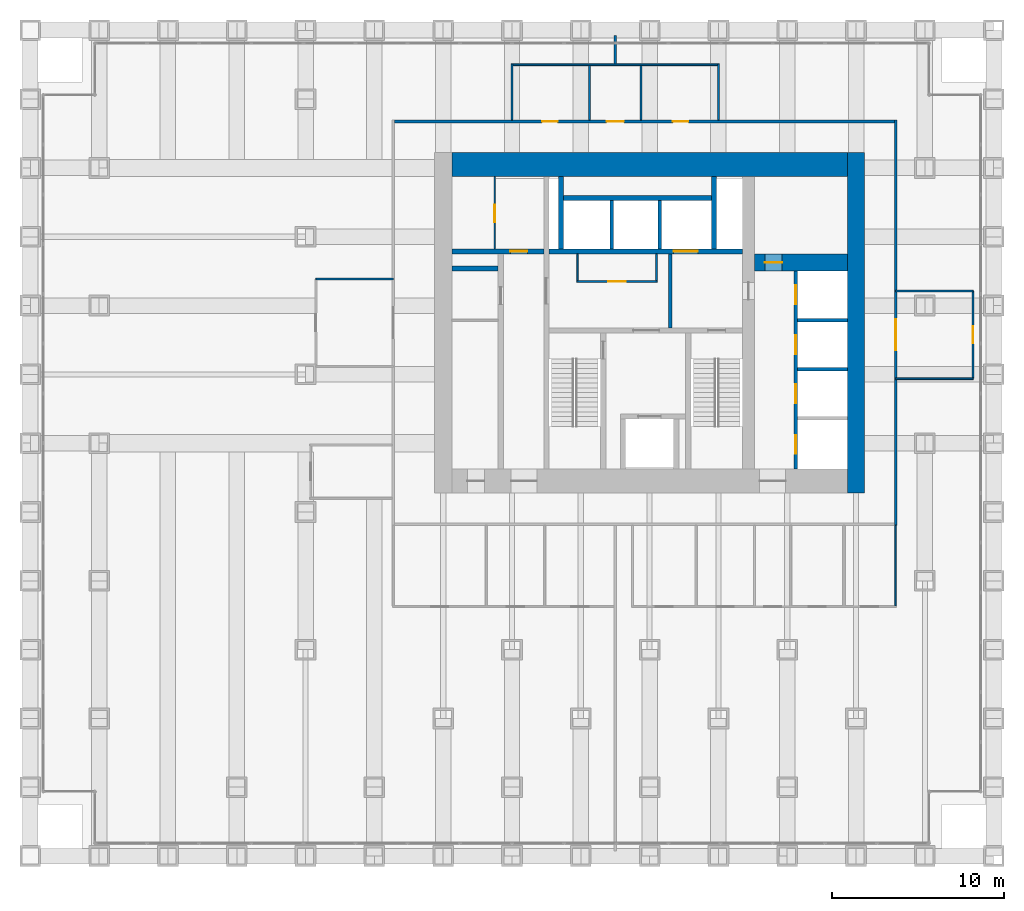
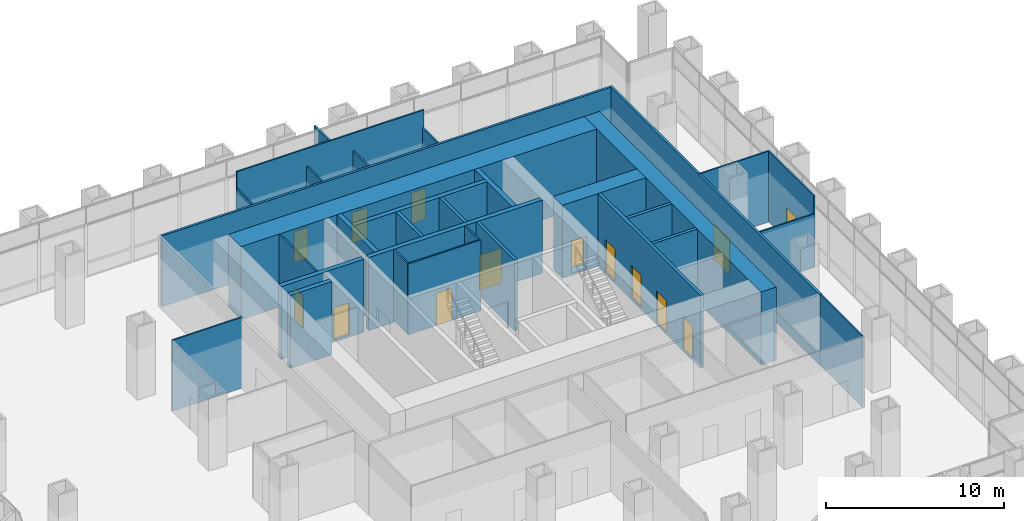
# One storey, part 16 of 18: 32 walls, 14 doors, 14 openings.
"""IFC4 building model written with IfcOpenShell, lengths in metres."""

from ifc_helpers import new_model, si_unit, direction, frame, frame_2d, origin, place, context, subcontext, project, spatial, rectangle, extrude, material, layer, layer_set, type_object, element, fill, save


model = new_model("IFC4")

# Units and contexts
model_context = context("Model", 3, precision=1e-05, world=origin(), true_north=direction((0.0, 1.0)))
body_context = subcontext(model_context, "Body", "Model", "MODEL_VIEW")
ifc_project = project(units=[si_unit("LENGTHUNIT", "METRE"), si_unit("AREAUNIT", "SQUARE_METRE"), si_unit("VOLUMEUNIT", "CUBIC_METRE"), si_unit("PLANEANGLEUNIT", "RADIAN"), si_unit("MASSUNIT", "GRAM", prefix="KILO")], contexts=[model_context])

# Site, building, storey
site_placement = place(None, origin())
site = spatial("IfcSite", under=ifc_project, at=site_placement, CompositionType="ELEMENT")
building_placement = place(site_placement, origin())
building = spatial("IfcBuilding", under=site, at=building_placement, Name="Rimbunsela Tower", CompositionType="ELEMENT")
storey_placement = place(building_placement, frame((0.0, 0.0, 6.0)))
storey = spatial("IfcBuildingStorey", under=building, at=storey_placement, Name="L01", CompositionType="ELEMENT", Elevation=6.0)

# Wall, opening, door
ifc_material_1 = material(Name="Concrete fc' 80 MPa", Category="concrete")
ifc_layer_1 = layer(ifc_material_1, 0.300048828125)
ifc_layer_set_1 = layer_set([ifc_layer_1], Name="Core internal wall 300")
wall_type_1 = type_object("IfcWallType", Name="Core internal wall 300", PredefinedType="SHEAR", material=ifc_layer_set_1)
wall_1_placement = place(storey_placement, frame((24.14990234375, 31.14990234375, -0.14990234375), z_axis=(0.0, 0.0, 1.0), x_axis=(1.0, 0.0, 0.0)))
wall_1 = element("IfcWall", 1, at=wall_1_placement, inside=storey, type_object=wall_type_1, Name="Lift shaft front north", PredefinedType="SHEAR", context=body_context, shape_type="SweptSolid", body=[
    extrude(rectangle(XDim=11.25, YDim=0.300048828125, at=frame_2d((5.625, 0.0))), origin(), (0.0, 0.0, 1.0), 5.0),
])
opening_1_placement = place(wall_1_placement, frame((7.25, 0.0, 0.14990234375)))
opening_1 = element("IfcOpeningElement", 2, at=opening_1_placement, cuts=wall_1, Name="Opening LD3", PredefinedType="OPENING", context=body_context, shape_type="SweptSolid", body=[
    extrude(rectangle(XDim=1.39990234375, YDim=2.39990234375, at=frame_2d((0.699951171875, 1.199951171875))), frame((0.0, 0.159912109375, 0.0), z_axis=(0.0, -1.0, 0.0), x_axis=(1.0, 0.0, 0.0)), (0.0, 0.0, 1.0), 0.320068359375),
])
ifc_material_2 = material(Name="Steel door, fire rated", Category="steel")
door_type_1 = type_object("IfcDoorType", Name="Lift landing door 1400", OperationType="DOUBLE_DOOR_SLIDING", PredefinedType="DOOR", material=ifc_material_2)
door_1_placement = place(opening_1_placement, origin())
door_1 = element("IfcDoor", 3, at=door_1_placement, inside=storey, type_object=door_type_1, Name="Lift landing door FL2", OperationType="DOUBLE_DOOR_SLIDING", OverallHeight=2.39990234375, OverallWidth=1.39990234375, PredefinedType="DOOR", context=body_context, shape_type="SweptSolid", body=[
    extrude(rectangle(XDim=1.39990234375, YDim=2.39990234375, at=frame_2d((0.699951171875, 1.199951171875))), frame((0.0, 0.02490234375, 0.0), z_axis=(0.0, -1.0, 0.0), x_axis=(1.0, 0.0, 0.0)), (0.0, 0.0, 1.0), 0.050048828125),
])
fill(opening_1, door_1)

wall_2_placement = place(storey_placement, frame((18.5, 31.14990234375, -0.14990234375), z_axis=(0.0, 0.0, 1.0), x_axis=(1.0, 0.0, 0.0)))
wall_2 = element("IfcWall", 4, at=wall_2_placement, inside=storey, type_object=wall_type_1, Name="Store wall", PredefinedType="SHEAR", context=body_context, shape_type="SweptSolid", body=[
    extrude(rectangle(XDim=5.35009765625, YDim=0.300048828125, at=frame_2d((2.675048828125, 0.0))), origin(), (0.0, 0.0, 1.0), 5.0),
])
opening_2_placement = place(wall_2_placement, frame((3.39990234375, 0.0, 0.14990234375)))
opening_2 = element("IfcOpeningElement", 5, at=opening_2_placement, cuts=wall_2, Name="Opening D19", PredefinedType="OPENING", context=body_context, shape_type="SweptSolid", body=[
    extrude(rectangle(XDim=1.0, YDim=2.199951171875, at=frame_2d((0.5, 1.10009765625))), frame((0.0, 0.159912109375, 0.0), z_axis=(0.0, -1.0, 0.0), x_axis=(1.0, 0.0, 0.0)), (0.0, 0.0, 1.0), 0.320068359375),
])
ifc_material_3 = material(Name="Steel door, fire rated", Category="steel")
door_type_2 = type_object("IfcDoorType", Name="Service door 1000 fire rated", OperationType="SINGLE_SWING_LEFT", PredefinedType="DOOR", material=ifc_material_3)
door_2_placement = place(opening_2_placement, origin())
door_2 = element("IfcDoor", 6, at=door_2_placement, inside=storey, type_object=door_type_2, Name="IT room door", OperationType="SINGLE_SWING_LEFT", OverallHeight=2.199951171875, OverallWidth=1.0, PredefinedType="DOOR", context=body_context, shape_type="SweptSolid", body=[
    extrude(rectangle(XDim=1.0, YDim=2.199951171875, at=frame_2d((0.5, 1.10009765625))), frame((0.0, 0.02490234375, 0.0), z_axis=(0.0, -1.0, 0.0), x_axis=(1.0, 0.0, 0.0)), (0.0, 0.0, 1.0), 0.050048828125),
])
fill(opening_2, door_2)

# Walls
wall_3_placement = place(storey_placement, frame((18.5, 30.14990234375, -0.14990234375), z_axis=(0.0, 0.0, 1.0), x_axis=(1.0, 0.0, 0.0)))
element("IfcWall", 7, at=wall_3_placement, inside=storey, type_object=wall_type_1, Name="Lift shaft rear west", PredefinedType="SHEAR", context=body_context, shape_type="SweptSolid", body=[
    extrude(rectangle(XDim=2.699951171875, YDim=0.300048828125, at=frame_2d((1.35009765625, 0.0))), origin(), (0.0, 0.0, 1.0), 5.0),
])
for number, where, z_axis, x_axis, name in (
    (8, (24.85009765625, 31.300048828125, -0.14990234375), (0.0, 0.0, 1.0), (0.0, 1.0, 0.0), "Riser wall"),
    (9, (33.75, 31.300048828125, -0.14990234375), (0.0, 0.0, 1.0), (0.0, 1.0, 0.0), "Riser wall"),
):
    element("IfcWall", number, at=place(storey_placement, frame(where, z_axis=z_axis, x_axis=x_axis)), inside=storey, type_object=wall_type_1, Name=name, PredefinedType="SHEAR", context=body_context, shape_type="SweptSolid", body=[
        extrude(rectangle(XDim=4.199951171875, YDim=0.300048828125, at=frame_2d((2.10009765625, 0.0))), origin(), (0.0, 0.0, 1.0), 5.0),
    ])
wall_4_placement = place(storey_placement, frame((25.0, 34.25, -0.14990234375), z_axis=(0.0, 0.0, 1.0), x_axis=(1.0, 0.0, 0.0)))
element("IfcWall", 10, at=wall_4_placement, inside=storey, type_object=wall_type_1, Name="Lift shaft rear north", PredefinedType="SHEAR", context=body_context, shape_type="SweptSolid", body=[
    extrude(rectangle(XDim=8.60009765625, YDim=0.300048828125, at=frame_2d((4.300048828125, 0.0))), origin(), (0.0, 0.0, 1.0), 5.0),
])

# Wall, opening, door
ifc_material_4 = material(Name="Concrete blockwork", Category="masonry")
ifc_layer_2 = layer(ifc_material_4, 0.10009765625)
ifc_layer_set_2 = layer_set([ifc_layer_2], Name="Core room partition 100")
wall_type_2 = type_object("IfcWallType", Name="Core room partition 100", PredefinedType="PARTITIONING", material=ifc_layer_set_2)
wall_5_placement = place(storey_placement, frame((21.0, 31.300048828125, 0.0), z_axis=(0.0, 0.0, 1.0), x_axis=(0.0, 1.0, 0.0)))
wall_5 = element("IfcWall", 11, at=wall_5_placement, inside=storey, type_object=wall_type_2, Name="Equipment store wall", PredefinedType="PARTITIONING", context=body_context, shape_type="SweptSolid", body=[
    extrude(rectangle(XDim=4.199951171875, YDim=0.10009765625, at=frame_2d((2.10009765625, 0.0))), origin(), (0.0, 0.0, 1.0), 4.85009765625),
])
opening_3_placement = place(wall_5_placement, frame((1.550048828125, 0.0, 0.0)))
opening_3 = element("IfcOpeningElement", 12, at=opening_3_placement, cuts=wall_5, Name="Opening D19", PredefinedType="OPENING", context=body_context, shape_type="SweptSolid", body=[
    extrude(rectangle(XDim=1.0, YDim=2.199951171875, at=frame_2d((0.5, 1.10009765625))), frame((0.0, 0.06005859375, 0.0), z_axis=(0.0, -1.0, 0.0), x_axis=(1.0, 0.0, 0.0)), (0.0, 0.0, 1.0), 0.1201171875),
])
door_3_placement = place(opening_3_placement, origin())
door_3 = element("IfcDoor", 13, at=door_3_placement, inside=storey, type_object=door_type_2, Name="Equipment store door", OperationType="SINGLE_SWING_LEFT", OverallHeight=2.199951171875, OverallWidth=1.0, PredefinedType="DOOR", context=body_context, shape_type="SweptSolid", body=[
    extrude(rectangle(XDim=1.0, YDim=2.199951171875, at=frame_2d((0.5, 1.10009765625))), frame((0.0, 0.02490234375, 0.0), z_axis=(0.0, -1.0, 0.0), x_axis=(1.0, 0.0, 0.0)), (0.0, 0.0, 1.0), 0.050048828125),
])
fill(opening_3, door_3)

wall_6_placement = place(storey_placement, frame((25.75, 29.39990234375, 0.0), z_axis=(0.0, 0.0, 1.0), x_axis=(1.0, 0.0, 0.0)))
wall_6 = element("IfcWall", 14, at=wall_6_placement, inside=storey, type_object=wall_type_2, Name="Lobby room wall", PredefinedType="PARTITIONING", context=body_context, shape_type="SweptSolid", body=[
    extrude(rectangle(XDim=4.699951171875, YDim=0.10009765625, at=frame_2d((2.35009765625, 0.0))), origin(), (0.0, 0.0, 1.0), 4.85009765625),
])
opening_4_placement = place(wall_6_placement, frame((1.85009765625, 0.0, 0.0)))
opening_4 = element("IfcOpeningElement", 15, at=opening_4_placement, cuts=wall_6, Name="Opening D19", PredefinedType="OPENING", context=body_context, shape_type="SweptSolid", body=[
    extrude(rectangle(XDim=1.0, YDim=2.199951171875, at=frame_2d((0.5, 1.10009765625))), frame((0.0, 0.06005859375, 0.0), z_axis=(0.0, -1.0, 0.0), x_axis=(1.0, 0.0, 0.0)), (0.0, 0.0, 1.0), 0.1201171875),
])
door_4_placement = place(opening_4_placement, origin())
door_4 = element("IfcDoor", 16, at=door_4_placement, inside=storey, type_object=door_type_2, Name="Staff pantry door", OperationType="SINGLE_SWING_LEFT", OverallHeight=2.199951171875, OverallWidth=1.0, PredefinedType="DOOR", context=body_context, shape_type="SweptSolid", body=[
    extrude(rectangle(XDim=1.0, YDim=2.199951171875, at=frame_2d((0.5, 1.10009765625))), frame((0.0, 0.02490234375, 0.0), z_axis=(0.0, -1.0, 0.0), x_axis=(1.0, 0.0, 0.0)), (0.0, 0.0, 1.0), 0.050048828125),
])
fill(opening_4, door_4)

# Walls
for number, where, z_axis, x_axis, name in (
    (17, (25.800048828125, 29.449951171875, 0.0), (0.0, 0.0, 1.0), (0.0, 1.0, 0.0), "Lobby room wall"),
    (18, (30.39990234375, 29.449951171875, 0.0), (0.0, 0.0, 1.0), (0.0, 1.0, 0.0), "Lobby room wall"),
):
    element("IfcWall", number, at=place(storey_placement, frame(where, z_axis=z_axis, x_axis=x_axis)), inside=storey, type_object=wall_type_2, Name=name, PredefinedType="PARTITIONING", context=body_context, shape_type="SweptSolid", body=[
        extrude(rectangle(XDim=1.550048828125, YDim=0.10009765625, at=frame_2d((0.77490234375, 0.0))), origin(), (0.0, 0.0, 1.0), 4.85009765625),
    ])
ifc_material_5 = material(Name="Concrete fc' 80 MPa", Category="concrete")
ifc_layer_3 = layer(ifc_material_5, 1.0)
ifc_layer_set_3 = layer_set([ifc_layer_3], Name="Core wall 1000")
wall_type_3 = type_object("IfcWallType", Name="Core wall 1000", PredefinedType="SHEAR", material=ifc_layer_set_3)
wall_7_placement = place(storey_placement, frame((42.0, 17.10009765625, -0.14990234375), z_axis=(0.0, 0.0, 1.0), x_axis=(0.0, 1.0, 0.0)))
element("IfcWall", 19, at=wall_7_placement, inside=storey, type_object=wall_type_3, Name="Core wall east", PredefinedType="SHEAR", context=body_context, shape_type="SweptSolid", body=[
    extrude(rectangle(XDim=19.7998046875, YDim=1.0, at=frame_2d((9.89990234375, 0.0))), origin(), (0.0, 0.0, 1.0), 5.0),
])

# Wall, opening, door
wall_8_placement = place(storey_placement, frame((36.10009765625, 30.5, -0.14990234375), z_axis=(0.0, 0.0, 1.0), x_axis=(1.0, 0.0, 0.0)))
wall_8 = element("IfcWall", 20, at=wall_8_placement, inside=storey, type_object=wall_type_3, Name="Lift shaft rear east", PredefinedType="SHEAR", context=body_context, shape_type="SweptSolid", body=[
    extrude(rectangle(XDim=5.39990234375, YDim=1.0, at=frame_2d((2.699951171875, 0.0))), origin(), (0.0, 0.0, 1.0), 5.0),
])
opening_5_placement = place(wall_8_placement, frame((0.60009765625, 0.0, 0.14990234375)))
opening_5 = element("IfcOpeningElement", 21, at=opening_5_placement, cuts=wall_8, Name="Opening D19", PredefinedType="OPENING", context=body_context, shape_type="SweptSolid", body=[
    extrude(rectangle(XDim=1.0, YDim=2.199951171875, at=frame_2d((0.5, 1.10009765625))), frame((0.0, 0.510009765625, 0.0), z_axis=(0.0, -1.0, 0.0), x_axis=(1.0, 0.0, 0.0)), (0.0, 0.0, 1.0), 1.02001953125),
])
door_5_placement = place(opening_5_placement, origin())
door_5 = element("IfcDoor", 22, at=door_5_placement, inside=storey, type_object=door_type_2, Name="Communications room door", OperationType="SINGLE_SWING_LEFT", OverallHeight=2.199951171875, OverallWidth=1.0, PredefinedType="DOOR", context=body_context, shape_type="SweptSolid", body=[
    extrude(rectangle(XDim=1.0, YDim=2.199951171875, at=frame_2d((0.5, 1.10009765625))), frame((0.0, 0.02490234375, 0.0), z_axis=(0.0, -1.0, 0.0), x_axis=(1.0, 0.0, 0.0)), (0.0, 0.0, 1.0), 0.050048828125),
])
fill(opening_5, door_5)

# Walls
ifc_material_6 = material(Name="Concrete fc' 80 MPa", Category="concrete")
ifc_layer_4 = layer(ifc_material_6, 1.39990234375)
ifc_layer_set_4 = layer_set([ifc_layer_4], Name="Core wall 1400")
wall_type_4 = type_object("IfcWallType", Name="Core wall 1400", PredefinedType="SHEAR", material=ifc_layer_set_4)
wall_9_placement = place(storey_placement, frame((18.5, 36.199951171875, -0.14990234375), z_axis=(0.0, 0.0, 1.0), x_axis=(1.0, 0.0, 0.0)))
element("IfcWall", 23, at=wall_9_placement, inside=storey, type_object=wall_type_4, Name="Core wall north", PredefinedType="SHEAR", context=body_context, shape_type="SweptSolid", body=[
    extrude(rectangle(XDim=23.0, YDim=1.39990234375, at=frame_2d((11.5, 0.0))), origin(), (0.0, 0.0, 1.0), 5.0),
])
ifc_material_7 = material(Name="Concrete blockwork", Category="masonry")
ifc_layer_5 = layer(ifc_material_7, 0.199951171875)
ifc_layer_set_5 = layer_set([ifc_layer_5], Name="Lift shaft wall 200")
wall_type_5 = type_object("IfcWallType", Name="Lift shaft wall 200", PredefinedType="SOLIDWALL", material=ifc_layer_set_5)
for number, where, z_axis, x_axis, name in (
    (24, (27.800048828125, 31.300048828125, -0.14990234375), (0.0, 0.0, 1.0), (0.0, 1.0, 0.0), "Lift shaft separation"),
    (25, (30.60009765625, 31.300048828125, -0.14990234375), (0.0, 0.0, 1.0), (0.0, 1.0, 0.0), "Lift shaft separation"),
):
    element("IfcWall", number, at=place(storey_placement, frame(where, z_axis=z_axis, x_axis=x_axis)), inside=storey, type_object=wall_type_5, Name=name, PredefinedType="SOLIDWALL", context=body_context, shape_type="SweptSolid", body=[
        extrude(rectangle(XDim=2.800048828125, YDim=0.199951171875, at=frame_2d((1.39990234375, 0.0))), origin(), (0.0, 0.0, 1.0), 5.0),
    ])

# Wall, openings, doors
wall_10_placement = place(storey_placement, frame((38.5, 18.5, -0.14990234375), z_axis=(0.0, 0.0, 1.0), x_axis=(0.0, 1.0, 0.0)))
wall_10 = element("IfcWall", 26, at=wall_10_placement, inside=storey, type_object=wall_type_5, Name="Lift shaft front east", PredefinedType="SOLIDWALL", context=body_context, shape_type="SweptSolid", body=[
    extrude(rectangle(XDim=11.5, YDim=0.199951171875, at=frame_2d((5.75, 0.0))), origin(), (0.0, 0.0, 1.0), 5.0),
])
opening_6_placement = place(wall_10_placement, frame((0.875, 0.0, 0.14990234375)))
opening_6 = element("IfcOpeningElement", 27, at=opening_6_placement, cuts=wall_10, Name="Opening LD1", PredefinedType="OPENING", context=body_context, shape_type="SweptSolid", body=[
    extrude(rectangle(XDim=1.10009765625, YDim=2.199951171875, at=frame_2d((0.550048828125, 1.10009765625))), frame((0.0, 0.10986328125, 0.0), z_axis=(0.0, -1.0, 0.0), x_axis=(1.0, 0.0, 0.0)), (0.0, 0.0, 1.0), 0.219970703125),
])
opening_7_placement = place(wall_10_placement, frame((3.824951171875, 0.0, 0.14990234375)))
opening_7 = element("IfcOpeningElement", 28, at=opening_7_placement, cuts=wall_10, Name="Opening LD1", PredefinedType="OPENING", context=body_context, shape_type="SweptSolid", body=[
    extrude(rectangle(XDim=1.10009765625, YDim=2.199951171875, at=frame_2d((0.550048828125, 1.10009765625))), frame((0.0, 0.10986328125, 0.0), z_axis=(0.0, -1.0, 0.0), x_axis=(1.0, 0.0, 0.0)), (0.0, 0.0, 1.0), 0.219970703125),
])
opening_8_placement = place(wall_10_placement, frame((6.675048828125, 0.0, 0.14990234375)))
opening_8 = element("IfcOpeningElement", 29, at=opening_8_placement, cuts=wall_10, Name="Opening LD1", PredefinedType="OPENING", context=body_context, shape_type="SweptSolid", body=[
    extrude(rectangle(XDim=1.10009765625, YDim=2.199951171875, at=frame_2d((0.550048828125, 1.10009765625))), frame((0.0, 0.10986328125, 0.0), z_axis=(0.0, -1.0, 0.0), x_axis=(1.0, 0.0, 0.0)), (0.0, 0.0, 1.0), 0.219970703125),
])
opening_9_placement = place(wall_10_placement, frame((9.574951171875, 0.0, 0.14990234375)))
opening_9 = element("IfcOpeningElement", 30, at=opening_9_placement, cuts=wall_10, Name="Opening LD1", PredefinedType="OPENING", context=body_context, shape_type="SweptSolid", body=[
    extrude(rectangle(XDim=1.10009765625, YDim=2.199951171875, at=frame_2d((0.550048828125, 1.10009765625))), frame((0.0, 0.10986328125, 0.0), z_axis=(0.0, -1.0, 0.0), x_axis=(1.0, 0.0, 0.0)), (0.0, 0.0, 1.0), 0.219970703125),
])
ifc_material_8 = material(Name="Steel door, fire rated", Category="steel")
door_type_3 = type_object("IfcDoorType", Name="Lift landing door 1100", OperationType="DOUBLE_DOOR_SLIDING", PredefinedType="DOOR", material=ifc_material_8)
door_6_placement = place(opening_6_placement, origin())
door_6 = element("IfcDoor", 31, at=door_6_placement, inside=storey, type_object=door_type_3, Name="Lift landing door LL1", OperationType="DOUBLE_DOOR_SLIDING", OverallHeight=2.199951171875, OverallWidth=1.10009765625, PredefinedType="DOOR", context=body_context, shape_type="SweptSolid", body=[
    extrude(rectangle(XDim=1.10009765625, YDim=2.199951171875, at=frame_2d((0.550048828125, 1.10009765625))), frame((0.0, 0.02490234375, 0.0), z_axis=(0.0, -1.0, 0.0), x_axis=(1.0, 0.0, 0.0)), (0.0, 0.0, 1.0), 0.050048828125),
])
fill(opening_6, door_6)
door_7_placement = place(opening_7_placement, origin())
door_7 = element("IfcDoor", 32, at=door_7_placement, inside=storey, type_object=door_type_3, Name="Lift landing door LL2", OperationType="DOUBLE_DOOR_SLIDING", OverallHeight=2.199951171875, OverallWidth=1.10009765625, PredefinedType="DOOR", context=body_context, shape_type="SweptSolid", body=[
    extrude(rectangle(XDim=1.10009765625, YDim=2.199951171875, at=frame_2d((0.550048828125, 1.10009765625))), frame((0.0, 0.02490234375, 0.0), z_axis=(0.0, -1.0, 0.0), x_axis=(1.0, 0.0, 0.0)), (0.0, 0.0, 1.0), 0.050048828125),
])
fill(opening_7, door_7)
door_8_placement = place(opening_8_placement, origin())
door_8 = element("IfcDoor", 33, at=door_8_placement, inside=storey, type_object=door_type_3, Name="Lift landing door LL3", OperationType="DOUBLE_DOOR_SLIDING", OverallHeight=2.199951171875, OverallWidth=1.10009765625, PredefinedType="DOOR", context=body_context, shape_type="SweptSolid", body=[
    extrude(rectangle(XDim=1.10009765625, YDim=2.199951171875, at=frame_2d((0.550048828125, 1.10009765625))), frame((0.0, 0.02490234375, 0.0), z_axis=(0.0, -1.0, 0.0), x_axis=(1.0, 0.0, 0.0)), (0.0, 0.0, 1.0), 0.050048828125),
])
fill(opening_8, door_8)
door_9_placement = place(opening_9_placement, origin())
door_9 = element("IfcDoor", 34, at=door_9_placement, inside=storey, type_object=door_type_3, Name="Lift landing door LL4", OperationType="DOUBLE_DOOR_SLIDING", OverallHeight=2.199951171875, OverallWidth=1.10009765625, PredefinedType="DOOR", context=body_context, shape_type="SweptSolid", body=[
    extrude(rectangle(XDim=1.10009765625, YDim=2.199951171875, at=frame_2d((0.550048828125, 1.10009765625))), frame((0.0, 0.02490234375, 0.0), z_axis=(0.0, -1.0, 0.0), x_axis=(1.0, 0.0, 0.0)), (0.0, 0.0, 1.0), 0.050048828125),
])
fill(opening_9, door_9)

# Walls
for number, where, z_axis, x_axis, name in (
    (35, (38.60009765625, 24.300048828125, -0.14990234375), (0.0, 0.0, 1.0), (1.0, 0.0, 0.0), "Lift shaft separation"),
    (36, (38.60009765625, 27.14990234375, -0.14990234375), (0.0, 0.0, 1.0), (1.0, 0.0, 0.0), "Lift shaft separation"),
):
    element("IfcWall", number, at=place(storey_placement, frame(where, z_axis=z_axis, x_axis=x_axis)), inside=storey, type_object=wall_type_5, Name=name, PredefinedType="SOLIDWALL", context=body_context, shape_type="SweptSolid", body=[
        extrude(rectangle(XDim=2.89990234375, YDim=0.199951171875, at=frame_2d((1.449951171875, 0.0))), origin(), (0.0, 0.0, 1.0), 5.0),
    ])
wall_11_placement = place(storey_placement, frame((31.199951171875, 26.699951171875, 0.0), z_axis=(0.0, 0.0, 1.0), x_axis=(0.0, 1.0, 0.0)))
element("IfcWall", 37, at=wall_11_placement, inside=storey, type_object=wall_type_5, Name="Firefighting lobby 2 wall", PredefinedType="SOLIDWALL", context=body_context, shape_type="SweptSolid", body=[
    extrude(rectangle(XDim=4.300048828125, YDim=0.199951171875, at=frame_2d((2.14990234375, 0.0))), origin(), (0.0, 0.0, 1.0), 4.85009765625),
])
ifc_material_9 = material(Name="Gypsum board on steel studs", Category="steel")
ifc_layer_6 = layer(ifc_material_9, 0.10009765625)
ifc_layer_set_6 = layer_set([ifc_layer_6], Name="Office partition 100")
wall_type_6 = type_object("IfcWallType", Name="Office partition 100", PredefinedType="PARTITIONING", material=ifc_layer_set_6)
wall_12_placement = place(storey_placement, frame((44.300048828125, 10.550048828125, 0.0), z_axis=(0.0, 0.0, 1.0), x_axis=(0.0, 1.0, 0.0)))
element("IfcWall", 38, at=wall_12_placement, inside=storey, type_object=wall_type_6, Name="Office partition", PredefinedType="PARTITIONING", context=body_context, shape_type="SweptSolid", body=[
    extrude(rectangle(XDim=4.675048828125, YDim=0.10009765625, at=frame_2d((2.33740234375, 0.0))), origin(), (0.0, 0.0, 1.0), 4.85009765625),
])
wall_13_placement = place(storey_placement, frame((15.10009765625, 29.550048828125, 0.0), z_axis=(0.0, 0.0, 1.0), x_axis=(-1.0, 0.0, 0.0)))
element("IfcWall", 39, at=wall_13_placement, inside=storey, type_object=wall_type_6, Name="Office partition", PredefinedType="PARTITIONING", context=body_context, shape_type="SweptSolid", body=[
    extrude(rectangle(XDim=4.5, YDim=0.10009765625, at=frame_2d((2.25, 0.0))), origin(), (0.0, 0.0, 1.0), 4.85009765625),
])
wall_14_placement = place(storey_placement, frame((44.300048828125, 23.75, 0.0), z_axis=(0.0, 0.0, 1.0), x_axis=(1.0, 0.0, 0.0)))
element("IfcWall", 40, at=wall_14_placement, inside=storey, type_object=wall_type_6, Name="Office partition", PredefinedType="PARTITIONING", context=body_context, shape_type="SweptSolid", body=[
    extrude(rectangle(XDim=4.5, YDim=0.10009765625, at=frame_2d((2.25, 0.0))), origin(), (0.0, 0.0, 1.0), 3.64990234375),
])

# Wall, opening, door
wall_15_placement = place(storey_placement, frame((48.800048828125, 23.75, 0.0), z_axis=(0.0, 0.0, 1.0), x_axis=(0.0, 1.0, 0.0)))
wall_15 = element("IfcWall", 41, at=wall_15_placement, inside=storey, type_object=wall_type_6, Name="Office partition", PredefinedType="PARTITIONING", context=body_context, shape_type="SweptSolid", body=[
    extrude(rectangle(XDim=5.10009765625, YDim=0.10009765625, at=frame_2d((2.550048828125, 0.0))), origin(), (0.0, 0.0, 1.0), 4.85009765625),
])
opening_10_placement = place(wall_15_placement, frame((2.050048828125, 0.0, 0.0)))
opening_10 = element("IfcOpeningElement", 42, at=opening_10_placement, cuts=wall_15, Name="Opening D17", PredefinedType="OPENING", context=body_context, shape_type="SweptSolid", body=[
    extrude(rectangle(XDim=1.0, YDim=2.199951171875, at=frame_2d((0.5, 1.10009765625))), frame((0.0, 0.06005859375, 0.0), z_axis=(0.0, -1.0, 0.0), x_axis=(1.0, 0.0, 0.0)), (0.0, 0.0, 1.0), 0.1201171875),
])
ifc_material_10 = material(Name="Glazed aluminium door", Category="aluminium")
door_type_4 = type_object("IfcDoorType", Name="Meeting room door 1000 glazed", OperationType="SINGLE_SWING_RIGHT", PredefinedType="DOOR", material=ifc_material_10)
door_10_placement = place(opening_10_placement, origin())
door_10 = element("IfcDoor", 43, at=door_10_placement, inside=storey, type_object=door_type_4, Name="Reception door", OperationType="SINGLE_SWING_RIGHT", OverallHeight=2.199951171875, OverallWidth=1.0, PredefinedType="DOOR", context=body_context, shape_type="SweptSolid", body=[
    extrude(rectangle(XDim=1.0, YDim=2.199951171875, at=frame_2d((0.5, 1.10009765625))), frame((0.0, 0.02490234375, 0.0), z_axis=(0.0, -1.0, 0.0), x_axis=(1.0, 0.0, 0.0)), (0.0, 0.0, 1.0), 0.050048828125),
])
fill(opening_10, door_10)

# Wall
wall_16_placement = place(storey_placement, frame((48.800048828125, 28.85009765625, 0.0), z_axis=(0.0, 0.0, 1.0), x_axis=(-1.0, 0.0, 0.0)))
element("IfcWall", 44, at=wall_16_placement, inside=storey, type_object=wall_type_6, Name="Office partition", PredefinedType="PARTITIONING", context=body_context, shape_type="SweptSolid", body=[
    extrude(rectangle(XDim=4.5, YDim=0.10009765625, at=frame_2d((2.25, 0.0))), origin(), (0.0, 0.0, 1.0), 4.85009765625),
])

# Wall, opening, door
ifc_material_11 = material(Name="Fire-rated gypsum board on steel studs, EI 60", Category="steel")
ifc_layer_7 = layer(ifc_material_11, 0.14990234375)
ifc_layer_set_7 = layer_set([ifc_layer_7], Name="Rated corridor wall 150")
wall_type_7 = type_object("IfcWallType", Name="Rated corridor wall 150", PredefinedType="PARTITIONING", material=ifc_layer_set_7)
wall_17_placement = place(storey_placement, frame((44.300048828125, 15.22509765625, 0.0), z_axis=(0.0, 0.0, 1.0), x_axis=(0.0, 1.0, 0.0)))
wall_17 = element("IfcWall", 45, at=wall_17_placement, inside=storey, type_object=wall_type_7, Name="Corridor wall east", PredefinedType="PARTITIONING", context=body_context, shape_type="SweptSolid", body=[
    extrude(rectangle(XDim=23.5498046875, YDim=0.14990234375, at=frame_2d((11.77490234375, 0.0))), origin(), (0.0, 0.0, 1.0), 4.85009765625),
])
opening_11_placement = place(wall_17_placement, frame((10.175048828125, 0.0, 0.0)))
opening_11 = element("IfcOpeningElement", 46, at=opening_11_placement, cuts=wall_17, Name="Opening D09", PredefinedType="OPENING", context=body_context, shape_type="SweptSolid", body=[
    extrude(rectangle(XDim=1.800048828125, YDim=2.39990234375, at=frame_2d((0.89990234375, 1.199951171875))), frame((0.0, 0.0849609375, 0.0), z_axis=(0.0, -1.0, 0.0), x_axis=(1.0, 0.0, 0.0)), (0.0, 0.0, 1.0), 0.169921875),
])
ifc_material_12 = material(Name="Glazed aluminium door, fire rated", Category="aluminium")
door_type_5 = type_object("IfcDoorType", Name="Tenancy door 1800 glazed", OperationType="DOUBLE_DOOR_DOUBLE_SWING", PredefinedType="DOOR", material=ifc_material_12)
door_11_placement = place(opening_11_placement, origin())
door_11 = element("IfcDoor", 47, at=door_11_placement, inside=storey, type_object=door_type_5, Name="Tenancy door", OperationType="DOUBLE_DOOR_DOUBLE_SWING", OverallHeight=2.39990234375, OverallWidth=1.800048828125, PredefinedType="DOOR", context=body_context, shape_type="SweptSolid", body=[
    extrude(rectangle(XDim=1.800048828125, YDim=2.39990234375, at=frame_2d((0.89990234375, 1.199951171875))), frame((0.0, 0.02490234375, 0.0), z_axis=(0.0, -1.0, 0.0), x_axis=(1.0, 0.0, 0.0)), (0.0, 0.0, 1.0), 0.050048828125),
])
fill(opening_11, door_11)

# Wall, openings, doors
wall_18_placement = place(storey_placement, frame((15.175048828125, 38.699951171875, 0.0), z_axis=(0.0, 0.0, 1.0), x_axis=(1.0, 0.0, 0.0)))
wall_18 = element("IfcWall", 48, at=wall_18_placement, inside=storey, type_object=wall_type_7, Name="Corridor wall north", PredefinedType="PARTITIONING", context=body_context, shape_type="SweptSolid", body=[
    extrude(rectangle(XDim=29.050048828125, YDim=0.14990234375, at=frame_2d((14.52490234375, 0.0))), origin(), (0.0, 0.0, 1.0), 4.85009765625),
])
opening_12_placement = place(wall_18_placement, frame((8.574951171875, 0.0, 0.0)))
opening_12 = element("IfcOpeningElement", 49, at=opening_12_placement, cuts=wall_18, Name="Opening D04", PredefinedType="OPENING", context=body_context, shape_type="SweptSolid", body=[
    extrude(rectangle(XDim=0.89990234375, YDim=2.10009765625, at=frame_2d((0.449951171875, 1.050048828125))), frame((0.0, 0.0849609375, 0.0), z_axis=(0.0, -1.0, 0.0), x_axis=(1.0, 0.0, 0.0)), (0.0, 0.0, 1.0), 0.169921875),
])
opening_13_placement = place(wall_18_placement, frame((12.324951171875, 0.0, 0.0)))
opening_13 = element("IfcOpeningElement", 50, at=opening_13_placement, cuts=wall_18, Name="Opening D05", PredefinedType="OPENING", context=body_context, shape_type="SweptSolid", body=[
    extrude(rectangle(XDim=1.0, YDim=2.10009765625, at=frame_2d((0.5, 1.050048828125))), frame((0.0, 0.0849609375, 0.0), z_axis=(0.0, -1.0, 0.0), x_axis=(1.0, 0.0, 0.0)), (0.0, 0.0, 1.0), 0.169921875),
])
opening_14_placement = place(wall_18_placement, frame((16.175048828125, 0.0, 0.0)))
opening_14 = element("IfcOpeningElement", 51, at=opening_14_placement, cuts=wall_18, Name="Opening D04", PredefinedType="OPENING", context=body_context, shape_type="SweptSolid", body=[
    extrude(rectangle(XDim=0.89990234375, YDim=2.10009765625, at=frame_2d((0.449951171875, 1.050048828125))), frame((0.0, 0.0849609375, 0.0), z_axis=(0.0, -1.0, 0.0), x_axis=(1.0, 0.0, 0.0)), (0.0, 0.0, 1.0), 0.169921875),
])
ifc_material_13 = material(Name="Timber door", Category="wood")
door_type_6 = type_object("IfcDoorType", Name="Accessible WC door 1000", OperationType="SLIDING_TO_LEFT", PredefinedType="DOOR", material=ifc_material_13)
door_12_placement = place(opening_13_placement, origin())
door_12 = element("IfcDoor", 52, at=door_12_placement, inside=storey, type_object=door_type_6, Name="Accessible WC door", OperationType="SLIDING_TO_LEFT", OverallHeight=2.10009765625, OverallWidth=1.0, PredefinedType="DOOR", context=body_context, shape_type="SweptSolid", body=[
    extrude(rectangle(XDim=1.0, YDim=2.10009765625, at=frame_2d((0.5, 1.050048828125))), frame((0.0, 0.02490234375, 0.0), z_axis=(0.0, -1.0, 0.0), x_axis=(1.0, 0.0, 0.0)), (0.0, 0.0, 1.0), 0.050048828125),
])
fill(opening_13, door_12)
ifc_material_14 = material(Name="Timber door", Category="wood")
door_type_7 = type_object("IfcDoorType", Name="Toilet door 900", OperationType="SINGLE_SWING_LEFT", PredefinedType="DOOR", material=ifc_material_14)
door_13_placement = place(opening_12_placement, origin())
door_13 = element("IfcDoor", 53, at=door_13_placement, inside=storey, type_object=door_type_7, Name="Female WC door", OperationType="SINGLE_SWING_LEFT", OverallHeight=2.10009765625, OverallWidth=0.89990234375, PredefinedType="DOOR", context=body_context, shape_type="SweptSolid", body=[
    extrude(rectangle(XDim=0.89990234375, YDim=2.10009765625, at=frame_2d((0.449951171875, 1.050048828125))), frame((0.0, 0.02490234375, 0.0), z_axis=(0.0, -1.0, 0.0), x_axis=(1.0, 0.0, 0.0)), (0.0, 0.0, 1.0), 0.050048828125),
])
fill(opening_12, door_13)
door_14_placement = place(opening_14_placement, origin())
door_14 = element("IfcDoor", 54, at=door_14_placement, inside=storey, type_object=door_type_7, Name="Male WC door", OperationType="SINGLE_SWING_LEFT", OverallHeight=2.10009765625, OverallWidth=0.89990234375, PredefinedType="DOOR", context=body_context, shape_type="SweptSolid", body=[
    extrude(rectangle(XDim=0.89990234375, YDim=2.10009765625, at=frame_2d((0.449951171875, 1.050048828125))), frame((0.0, 0.02490234375, 0.0), z_axis=(0.0, -1.0, 0.0), x_axis=(1.0, 0.0, 0.0)), (0.0, 0.0, 1.0), 0.050048828125),
])
fill(opening_14, door_14)

# Walls
ifc_material_15 = material(Name="Gypsum board on steel studs", Category="steel")
ifc_layer_8 = layer(ifc_material_15, 0.1201171875)
ifc_layer_set_8 = layer_set([ifc_layer_8], Name="Tenancy partition 120")
wall_type_8 = type_object("IfcWallType", Name="Tenancy partition 120", PredefinedType="PARTITIONING", material=ifc_layer_set_8)
wall_19_placement = place(storey_placement, frame((28.0, 42.050048828125, 0.0), z_axis=(0.0, 0.0, 1.0), x_axis=(0.0, 1.0, 0.0)))
element("IfcWall", 55, at=wall_19_placement, inside=storey, type_object=wall_type_8, Name="Tenancy partition north", PredefinedType="PARTITIONING", context=body_context, shape_type="SweptSolid", body=[
    extrude(rectangle(XDim=1.64990234375, YDim=0.1201171875, at=frame_2d((0.824951171875, 0.0))), origin(), (0.0, 0.0, 1.0), 4.85009765625),
])
ifc_material_16 = material(Name="Concrete blockwork", Category="masonry")
ifc_layer_9 = layer(ifc_material_16, 0.10009765625)
ifc_layer_set_9 = layer_set([ifc_layer_9], Name="Toilet partition 100")
wall_type_9 = type_object("IfcWallType", Name="Toilet partition 100", PredefinedType="PARTITIONING", material=ifc_layer_set_9)
for number, where, z_axis, x_axis, name in (
    (56, (22.0, 38.77490234375, 0.0), (0.0, 0.0, 1.0), (0.0, 1.0, 0.0), "Toilet block wall west"),
    (57, (34.0, 38.77490234375, 0.0), (0.0, 0.0, 1.0), (0.0, 1.0, 0.0), "Toilet block wall east"),
):
    element("IfcWall", number, at=place(storey_placement, frame(where, z_axis=z_axis, x_axis=x_axis)), inside=storey, type_object=wall_type_9, Name=name, PredefinedType="PARTITIONING", context=body_context, shape_type="SweptSolid", body=[
        extrude(rectangle(XDim=3.275146484375, YDim=0.10009765625, at=frame_2d((1.6376953125, 0.0))), origin(), (0.0, 0.0, 1.0), 3.64990234375),
    ])
wall_20_placement = place(storey_placement, frame((21.949951171875, 42.0, 0.0), z_axis=(0.0, 0.0, 1.0), x_axis=(1.0, 0.0, 0.0)))
element("IfcWall", 58, at=wall_20_placement, inside=storey, type_object=wall_type_9, Name="Toilet block wall north", PredefinedType="PARTITIONING", context=body_context, shape_type="SweptSolid", body=[
    extrude(rectangle(XDim=12.10009765625, YDim=0.10009765625, at=frame_2d((6.050048828125, 0.0))), origin(), (0.0, 0.0, 1.0), 4.85009765625),
])
for number, where, z_axis, x_axis, name in (
    (59, (26.5, 38.77490234375, 0.0), (0.0, 0.0, 1.0), (0.0, 1.0, 0.0), "Toilet partition"),
    (60, (29.5, 38.77490234375, 0.0), (0.0, 0.0, 1.0), (0.0, 1.0, 0.0), "Toilet partition"),
):
    element("IfcWall", number, at=place(storey_placement, frame(where, z_axis=z_axis, x_axis=x_axis)), inside=storey, type_object=wall_type_9, Name=name, PredefinedType="PARTITIONING", context=body_context, shape_type="SweptSolid", body=[
        extrude(rectangle(XDim=3.175048828125, YDim=0.10009765625, at=frame_2d((1.58740234375, 0.0))), origin(), (0.0, 0.0, 1.0), 3.64990234375),
    ])

save(model, "model.ifc")
